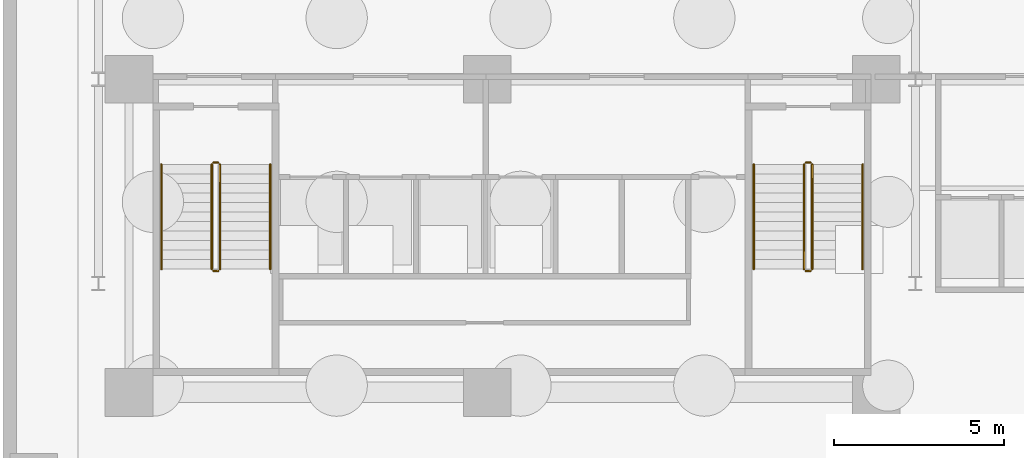
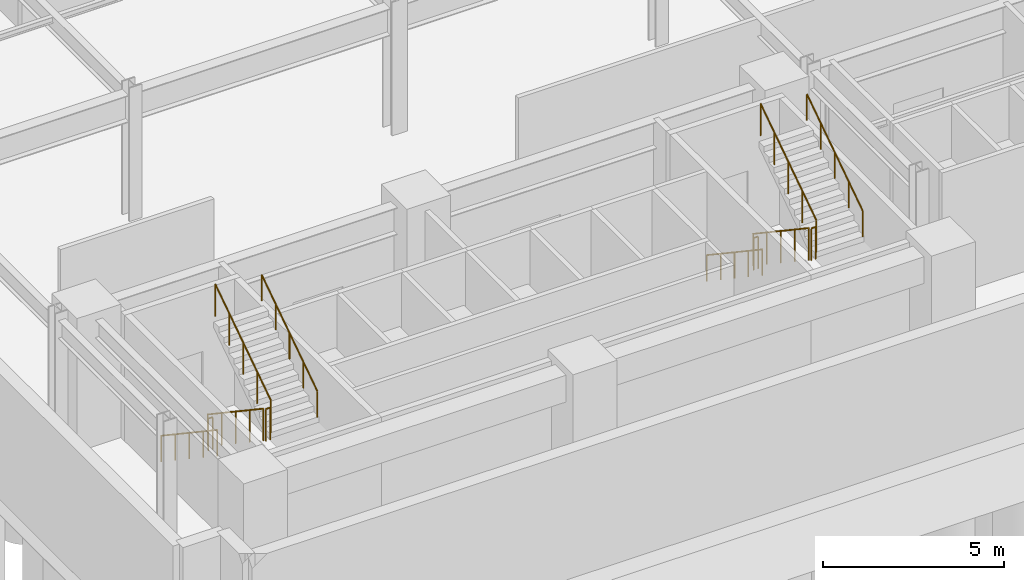
# One storey, part 12 of 14: 12 railings.
"""IFC4 building model written with IfcOpenShell, lengths in metres."""

from ifc_helpers import new_model, si_unit, direction, frame, origin, origin_2d, place, context, subcontext, project, spatial, circle, extrude, material, type_object, element, save


model = new_model("IFC4")

# Units and contexts
model_context = context("Model", 3, precision=1e-05, world=origin(), true_north=direction((0.0, 1.0)))
body_context = subcontext(model_context, "Body", "Model", "MODEL_VIEW")
ifc_project = project(units=[si_unit("LENGTHUNIT", "METRE"), si_unit("AREAUNIT", "SQUARE_METRE"), si_unit("VOLUMEUNIT", "CUBIC_METRE"), si_unit("PLANEANGLEUNIT", "RADIAN"), si_unit("MASSUNIT", "GRAM", prefix="KILO")], contexts=[model_context])

# Site, building, storey
site_placement = place(None, origin())
site = spatial("IfcSite", under=ifc_project, at=site_placement, CompositionType="ELEMENT")
building_placement = place(site_placement, origin())
building = spatial("IfcBuilding", under=site, at=building_placement, Name="Varnakote Quay Hospital", CompositionType="ELEMENT")
storey_placement = place(building_placement, frame((0.0, 0.0, -9.0)))
storey = spatial("IfcBuildingStorey", under=building, at=storey_placement, Name="B02", CompositionType="ELEMENT", Elevation=-9.0)

# Railings
ifc_material_1 = material(Name="Brushed stainless steel balustrade", Category="steel")
railing_type_1 = type_object("IfcRailingType", Name="RLG-STAIR-GUARD-1150", PredefinedType="GUARDRAIL", material=ifc_material_1)
railing_1_placement = place(storey_placement, frame((4.530029296875, 9.5, 0.1875)))
element("IfcRailing", 1, at=railing_1_placement, inside=storey, type_object=railing_type_1, Name="B02 ST-01 stair guard 1", PredefinedType="GUARDRAIL", context=body_context, shape_type="SweptSolid", body=[
    extrude(circle(Radius=0.02392578125, at=origin_2d()), frame((0.0, 0.0, 1.076171875), z_axis=(0.0, -0.830913701846, 0.55640131208), x_axis=(1.0, 0.0, 0.0)), (0.0, 0.0, 1.0), 3.706787109375),
    extrude(circle(Radius=0.02099609375, at=origin_2d()), origin(), (0.0, 0.0, 1.0), 1.052001953125),
    extrude(circle(Radius=0.02099609375, at=origin_2d()), frame((0.0, -0.77001953125, 0.515625)), (0.0, 0.0, 1.0), 1.052001953125),
    extrude(circle(Radius=0.02099609375, at=origin_2d()), frame((0.0, -1.5400390625, 1.03125)), (0.0, 0.0, 1.0), 1.052001953125),
    extrude(circle(Radius=0.02099609375, at=origin_2d()), frame((0.0, -2.31005859375, 1.546875)), (0.0, 0.0, 1.0), 1.052001953125),
    extrude(circle(Radius=0.02099609375, at=origin_2d()), frame((0.0, -3.080078125, 2.0625)), (0.0, 0.0, 1.0), 1.052001953125),
])
railing_2_placement = place(storey_placement, frame((4.580078125, 6.3701171875, 2.25)))
element("IfcRailing", 2, at=railing_2_placement, inside=storey, type_object=railing_type_1, Name="B02 ST-01 stair guard 2", PredefinedType="GUARDRAIL", context=body_context, shape_type="SweptSolid", body=[
    extrude(circle(Radius=0.02392578125, at=origin_2d()), frame((0.0, 0.0, 1.076171875), z_axis=(1.0, 0.0, 0.0), x_axis=(0.0, 1.0, 0.0)), (0.0, 0.0, 1.0), 0.139892578125),
    extrude(circle(Radius=0.02099609375, at=origin_2d()), origin(), (0.0, 0.0, 1.0), 1.052001953125),
    extrude(circle(Radius=0.02099609375, at=origin_2d()), frame((0.139892578125, 0.0, 0.0)), (0.0, 0.0, 1.0), 1.052001953125),
])
railing_3_placement = place(storey_placement, frame((4.77001953125, 6.419921875, 2.4375)))
element("IfcRailing", 3, at=railing_3_placement, inside=storey, type_object=railing_type_1, Name="B02 ST-01 stair guard 3", PredefinedType="GUARDRAIL", context=body_context, shape_type="SweptSolid", body=[
    extrude(circle(Radius=0.02392578125, at=origin_2d()), frame((0.0, 0.0, 1.076171875), z_axis=(0.0, 0.830913701846, 0.55640131208), x_axis=(-1.0, 0.0, 0.0)), (0.0, 0.0, 1.0), 3.706787109375),
    extrude(circle(Radius=0.02099609375, at=origin_2d()), origin(), (0.0, 0.0, 1.0), 1.052001953125),
    extrude(circle(Radius=0.02099609375, at=origin_2d()), frame((0.0, 0.77001953125, 0.515625)), (0.0, 0.0, 1.0), 1.052001953125),
    extrude(circle(Radius=0.02099609375, at=origin_2d()), frame((0.0, 1.5400390625, 1.03125)), (0.0, 0.0, 1.0), 1.052001953125),
    extrude(circle(Radius=0.02099609375, at=origin_2d()), frame((0.0, 2.31005859375, 1.546875)), (0.0, 0.0, 1.0), 1.052001953125),
    extrude(circle(Radius=0.02099609375, at=origin_2d()), frame((0.0, 3.080078125, 2.0625)), (0.0, 0.0, 1.0), 1.052001953125),
])
railing_4_placement = place(storey_placement, frame((4.580078125, 9.550048828125, 0.0)))
element("IfcRailing", 4, at=railing_4_placement, inside=storey, type_object=railing_type_1, Name="B02 ST-01 stair guard 4", PredefinedType="GUARDRAIL", context=body_context, shape_type="SweptSolid", body=[
    extrude(circle(Radius=0.02392578125, at=origin_2d()), frame((0.0, 0.0, 1.076171875), z_axis=(1.0, 0.0, 0.0), x_axis=(0.0, 1.0, 0.0)), (0.0, 0.0, 1.0), 0.139892578125),
    extrude(circle(Radius=0.02099609375, at=origin_2d()), origin(), (0.0, 0.0, 1.0), 1.052001953125),
    extrude(circle(Radius=0.02099609375, at=origin_2d()), frame((0.139892578125, 0.0, 0.0)), (0.0, 0.0, 1.0), 1.052001953125),
])
railing_5_placement = place(storey_placement, frame((21.929931640625, 9.5, 0.1875)))
element("IfcRailing", 5, at=railing_5_placement, inside=storey, type_object=railing_type_1, Name="B02 ST-02 stair guard 1", PredefinedType="GUARDRAIL", context=body_context, shape_type="SweptSolid", body=[
    extrude(circle(Radius=0.02392578125, at=origin_2d()), frame((0.0, 0.0, 1.076171875), z_axis=(0.0, -0.830913701846, 0.55640131208), x_axis=(1.0, 0.0, 0.0)), (0.0, 0.0, 1.0), 3.706787109375),
    extrude(circle(Radius=0.02099609375, at=origin_2d()), origin(), (0.0, 0.0, 1.0), 1.052001953125),
    extrude(circle(Radius=0.02099609375, at=origin_2d()), frame((0.0, -0.77001953125, 0.515625)), (0.0, 0.0, 1.0), 1.052001953125),
    extrude(circle(Radius=0.02099609375, at=origin_2d()), frame((0.0, -1.5400390625, 1.03125)), (0.0, 0.0, 1.0), 1.052001953125),
    extrude(circle(Radius=0.02099609375, at=origin_2d()), frame((0.0, -2.31005859375, 1.546875)), (0.0, 0.0, 1.0), 1.052001953125),
    extrude(circle(Radius=0.02099609375, at=origin_2d()), frame((0.0, -3.080078125, 2.0625)), (0.0, 0.0, 1.0), 1.052001953125),
])
railing_6_placement = place(storey_placement, frame((21.97998046875, 6.3701171875, 2.25)))
element("IfcRailing", 6, at=railing_6_placement, inside=storey, type_object=railing_type_1, Name="B02 ST-02 stair guard 2", PredefinedType="GUARDRAIL", context=body_context, shape_type="SweptSolid", body=[
    extrude(circle(Radius=0.02392578125, at=origin_2d()), frame((0.0, 0.0, 1.076171875), z_axis=(1.0, 0.0, 0.0), x_axis=(0.0, 1.0, 0.0)), (0.0, 0.0, 1.0), 0.14013671875),
    extrude(circle(Radius=0.02099609375, at=origin_2d()), origin(), (0.0, 0.0, 1.0), 1.052001953125),
    extrude(circle(Radius=0.02099609375, at=origin_2d()), frame((0.14013671875, 0.0, 0.0)), (0.0, 0.0, 1.0), 1.052001953125),
])
railing_7_placement = place(storey_placement, frame((22.169921875, 6.419921875, 2.4375)))
element("IfcRailing", 7, at=railing_7_placement, inside=storey, type_object=railing_type_1, Name="B02 ST-02 stair guard 3", PredefinedType="GUARDRAIL", context=body_context, shape_type="SweptSolid", body=[
    extrude(circle(Radius=0.02392578125, at=origin_2d()), frame((0.0, 0.0, 1.076171875), z_axis=(0.0, 0.830913701846, 0.55640131208), x_axis=(-1.0, 0.0, 0.0)), (0.0, 0.0, 1.0), 3.706787109375),
    extrude(circle(Radius=0.02099609375, at=origin_2d()), origin(), (0.0, 0.0, 1.0), 1.052001953125),
    extrude(circle(Radius=0.02099609375, at=origin_2d()), frame((0.0, 0.77001953125, 0.515625)), (0.0, 0.0, 1.0), 1.052001953125),
    extrude(circle(Radius=0.02099609375, at=origin_2d()), frame((0.0, 1.5400390625, 1.03125)), (0.0, 0.0, 1.0), 1.052001953125),
    extrude(circle(Radius=0.02099609375, at=origin_2d()), frame((0.0, 2.31005859375, 1.546875)), (0.0, 0.0, 1.0), 1.052001953125),
    extrude(circle(Radius=0.02099609375, at=origin_2d()), frame((0.0, 3.080078125, 2.0625)), (0.0, 0.0, 1.0), 1.052001953125),
])
railing_8_placement = place(storey_placement, frame((21.97998046875, 9.550048828125, 0.0)))
element("IfcRailing", 8, at=railing_8_placement, inside=storey, type_object=railing_type_1, Name="B02 ST-02 stair guard 4", PredefinedType="GUARDRAIL", context=body_context, shape_type="SweptSolid", body=[
    extrude(circle(Radius=0.02392578125, at=origin_2d()), frame((0.0, 0.0, 1.076171875), z_axis=(1.0, 0.0, 0.0), x_axis=(0.0, 1.0, 0.0)), (0.0, 0.0, 1.0), 0.14013671875),
    extrude(circle(Radius=0.02099609375, at=origin_2d()), origin(), (0.0, 0.0, 1.0), 1.052001953125),
    extrude(circle(Radius=0.02099609375, at=origin_2d()), frame((0.14013671875, 0.0, 0.0)), (0.0, 0.0, 1.0), 1.052001953125),
])
ifc_material_2 = material(Name="Brushed stainless steel handrail", Category="steel")
railing_type_2 = type_object("IfcRailingType", Name="RLG-STAIR-HND-920", PredefinedType="HANDRAIL", material=ifc_material_2)
railing_9_placement = place(storey_placement, frame((3.050048828125, 9.5, 0.1875)))
element("IfcRailing", 9, at=railing_9_placement, inside=storey, type_object=railing_type_2, Name="B02 ST-01 stair handrail 1", PredefinedType="HANDRAIL", context=body_context, shape_type="SweptSolid", body=[
    extrude(circle(Radius=0.02392578125, at=origin_2d()), frame((0.0, 0.0, 0.8759765625), z_axis=(0.0, -0.830913701846, 0.55640131208), x_axis=(1.0, 0.0, 0.0)), (0.0, 0.0, 1.0), 3.706787109375),
    extrude(circle(Radius=0.02099609375, at=origin_2d()), origin(), (0.0, 0.0, 1.0), 0.851806640625),
    extrude(circle(Radius=0.02099609375, at=origin_2d()), frame((0.0, -0.77001953125, 0.515625)), (0.0, 0.0, 1.0), 0.851806640625),
    extrude(circle(Radius=0.02099609375, at=origin_2d()), frame((0.0, -1.5400390625, 1.03125)), (0.0, 0.0, 1.0), 0.851806640625),
    extrude(circle(Radius=0.02099609375, at=origin_2d()), frame((0.0, -2.31005859375, 1.546875)), (0.0, 0.0, 1.0), 0.851806640625),
    extrude(circle(Radius=0.02099609375, at=origin_2d()), frame((0.0, -3.080078125, 2.0625)), (0.0, 0.0, 1.0), 0.851806640625),
])
railing_10_placement = place(storey_placement, frame((6.25, 6.419921875, 2.4375)))
element("IfcRailing", 10, at=railing_10_placement, inside=storey, type_object=railing_type_2, Name="B02 ST-01 stair handrail 2", PredefinedType="HANDRAIL", context=body_context, shape_type="SweptSolid", body=[
    extrude(circle(Radius=0.02392578125, at=origin_2d()), frame((0.0, 0.0, 0.8759765625), z_axis=(0.0, 0.830913701846, 0.55640131208), x_axis=(-1.0, 0.0, 0.0)), (0.0, 0.0, 1.0), 3.706787109375),
    extrude(circle(Radius=0.02099609375, at=origin_2d()), origin(), (0.0, 0.0, 1.0), 0.851806640625),
    extrude(circle(Radius=0.02099609375, at=origin_2d()), frame((0.0, 0.77001953125, 0.515625)), (0.0, 0.0, 1.0), 0.851806640625),
    extrude(circle(Radius=0.02099609375, at=origin_2d()), frame((0.0, 1.5400390625, 1.03125)), (0.0, 0.0, 1.0), 0.851806640625),
    extrude(circle(Radius=0.02099609375, at=origin_2d()), frame((0.0, 2.31005859375, 1.546875)), (0.0, 0.0, 1.0), 0.851806640625),
    extrude(circle(Radius=0.02099609375, at=origin_2d()), frame((0.0, 3.080078125, 2.0625)), (0.0, 0.0, 1.0), 0.851806640625),
])
railing_11_placement = place(storey_placement, frame((20.449951171875, 9.5, 0.1875)))
element("IfcRailing", 11, at=railing_11_placement, inside=storey, type_object=railing_type_2, Name="B02 ST-02 stair handrail 1", PredefinedType="HANDRAIL", context=body_context, shape_type="SweptSolid", body=[
    extrude(circle(Radius=0.02392578125, at=origin_2d()), frame((0.0, 0.0, 0.8759765625), z_axis=(0.0, -0.830913701846, 0.55640131208), x_axis=(1.0, 0.0, 0.0)), (0.0, 0.0, 1.0), 3.706787109375),
    extrude(circle(Radius=0.02099609375, at=origin_2d()), origin(), (0.0, 0.0, 1.0), 0.851806640625),
    extrude(circle(Radius=0.02099609375, at=origin_2d()), frame((0.0, -0.77001953125, 0.515625)), (0.0, 0.0, 1.0), 0.851806640625),
    extrude(circle(Radius=0.02099609375, at=origin_2d()), frame((0.0, -1.5400390625, 1.03125)), (0.0, 0.0, 1.0), 0.851806640625),
    extrude(circle(Radius=0.02099609375, at=origin_2d()), frame((0.0, -2.31005859375, 1.546875)), (0.0, 0.0, 1.0), 0.851806640625),
    extrude(circle(Radius=0.02099609375, at=origin_2d()), frame((0.0, -3.080078125, 2.0625)), (0.0, 0.0, 1.0), 0.851806640625),
])
railing_12_placement = place(storey_placement, frame((23.64990234375, 6.419921875, 2.4375)))
element("IfcRailing", 12, at=railing_12_placement, inside=storey, type_object=railing_type_2, Name="B02 ST-02 stair handrail 2", PredefinedType="HANDRAIL", context=body_context, shape_type="SweptSolid", body=[
    extrude(circle(Radius=0.02392578125, at=origin_2d()), frame((0.0, 0.0, 0.8759765625), z_axis=(0.0, 0.830913701846, 0.55640131208), x_axis=(-1.0, 0.0, 0.0)), (0.0, 0.0, 1.0), 3.706787109375),
    extrude(circle(Radius=0.02099609375, at=origin_2d()), origin(), (0.0, 0.0, 1.0), 0.851806640625),
    extrude(circle(Radius=0.02099609375, at=origin_2d()), frame((0.0, 0.77001953125, 0.515625)), (0.0, 0.0, 1.0), 0.851806640625),
    extrude(circle(Radius=0.02099609375, at=origin_2d()), frame((0.0, 1.5400390625, 1.03125)), (0.0, 0.0, 1.0), 0.851806640625),
    extrude(circle(Radius=0.02099609375, at=origin_2d()), frame((0.0, 2.31005859375, 1.546875)), (0.0, 0.0, 1.0), 0.851806640625),
    extrude(circle(Radius=0.02099609375, at=origin_2d()), frame((0.0, 3.080078125, 2.0625)), (0.0, 0.0, 1.0), 0.851806640625),
])

save(model, "model.ifc")
